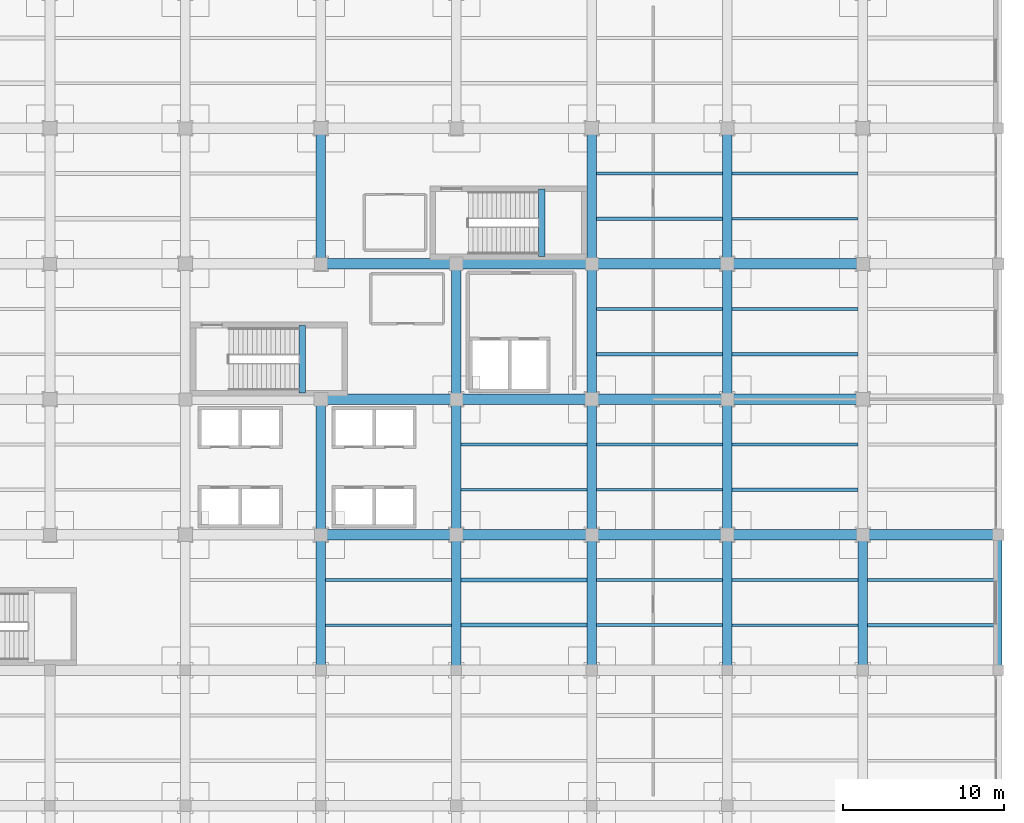
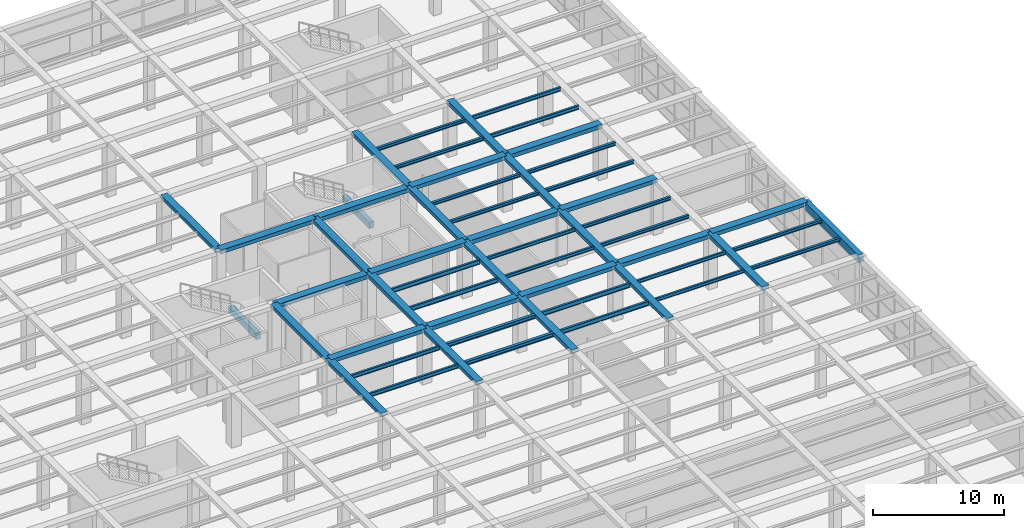
# One storey, part 55 of 96: 55 beams.
"""IFC4 building model written with IfcOpenShell, lengths in metres."""

from ifc_helpers import new_model, si_unit, direction, frame, origin, origin_2d, place, context, subcontext, project, spatial, rectangle, i_section, extrude, material, material_profile, profile_set, type_object, element, save


model = new_model("IFC4")

# Units and contexts
model_context = context("Model", 3, precision=1e-05, world=origin(), true_north=direction((0.0, 1.0)))
body_context = subcontext(model_context, "Body", "Model", "MODEL_VIEW")
ifc_project = project(units=[si_unit("LENGTHUNIT", "METRE"), si_unit("AREAUNIT", "SQUARE_METRE"), si_unit("VOLUMEUNIT", "CUBIC_METRE"), si_unit("PLANEANGLEUNIT", "RADIAN"), si_unit("MASSUNIT", "GRAM", prefix="KILO")], contexts=[model_context])

# Site, building, storey
site_placement = place(None, origin())
site = spatial("IfcSite", under=ifc_project, at=site_placement, CompositionType="ELEMENT")
building_placement = place(site_placement, origin())
building = spatial("IfcBuilding", under=site, at=building_placement, Name="Almacenes y Pasaje Nevantli", CompositionType="ELEMENT")
storey_placement = place(building_placement, frame((0.0, 0.0, 6.0)))
storey = spatial("IfcBuildingStorey", under=building, at=storey_placement, Name="L02", CompositionType="ELEMENT", Elevation=6.0)

# Beams
ifc_material_1 = material(Name="Concrete C35/45", Category="concrete")
ifc_material_profile_1 = material_profile(ifc_material_1, rectangle(XDim=0.39990234375, YDim=0.60009765625, at=origin_2d()), Name="RC-BM-400x600")
ifc_profile_set_1 = profile_set([ifc_material_profile_1], Name="Concrete C35/45")
beam_type_1 = type_object("IfcBeamType", Name="BM-RC-400x600", PredefinedType="SPANDREL", material=ifc_profile_set_1)
for number, where, z_axis, x_axis, name in (
    (1, (124.85009765625, 76.0, 2.199951171875), (0.0, 1.0, 0.0), (-1.0, 0.0, 0.0), "L02 Stair ST-01 Half-Landing Support Beam"),
    (2, (139.699951171875, 84.449951171875, 2.199951171875), (0.0, 1.0, 0.0), (-1.0, 0.0, 0.0), "L02 Stair ST-02 Half-Landing Support Beam"),
):
    element("IfcBeam", number, at=place(storey_placement, frame(where, z_axis=z_axis, x_axis=x_axis)), inside=storey, type_object=beam_type_1, Name=name, PredefinedType="SPANDREL", context=body_context, shape_type="SweptSolid", body=[
        extrude(rectangle(XDim=0.39990234375, YDim=0.60009765625, at=origin_2d()), origin(), (0.0, 0.0, 1.0), 4.18994140625),
    ])
ifc_material_2 = material(Name="Concrete C35/45", Category="concrete")
ifc_material_profile_2 = material_profile(ifc_material_2, rectangle(XDim=0.449951171875, YDim=0.699951171875, at=origin_2d()), Name="RC-BM-450x700")
ifc_profile_set_2 = profile_set([ifc_material_profile_2], Name="Concrete C35/45")
beam_type_2 = type_object("IfcBeamType", Name="BM-RC-450x700", PredefinedType="SPANDREL", material=ifc_profile_set_2)
beam_1_placement = place(storey_placement, frame((168.0, 58.800048828125, 4.75), z_axis=(0.0, 1.0, 0.0), x_axis=(-1.0, 0.0, 0.0)))
element("IfcBeam", 3, at=beam_1_placement, inside=storey, type_object=beam_type_2, Name="L02 North-South Reinforced Concrete Beam #2196", PredefinedType="SPANDREL", context=body_context, shape_type="SweptSolid", body=[
    extrude(rectangle(XDim=0.449951171875, YDim=0.699951171875, at=origin_2d()), origin(), (0.0, 0.0, 1.0), 8.39990234375),
])
ifc_material_3 = material(Name="Concrete C35/45", Category="concrete")
ifc_material_profile_3 = material_profile(ifc_material_3, rectangle(XDim=0.60009765625, YDim=0.320068359375, at=origin_2d()), Name="RC-BM-600x320")
ifc_profile_set_3 = profile_set([ifc_material_profile_3], Name="Concrete C35/45")
beam_type_3 = type_object("IfcBeamType", Name="BM-RC-600x320", PredefinedType="BEAM", material=ifc_profile_set_3)
beam_2_placement = place(storey_placement, frame((126.0, 67.199951171875, 4.93994140625), z_axis=(0.0, 1.0, 0.0), x_axis=(-1.0, 0.0, 0.0)))
element("IfcBeam", 4, at=beam_2_placement, inside=storey, type_object=beam_type_3, Name="L02 North-South Reinforced Concrete Beam #2131", PredefinedType="BEAM", context=body_context, shape_type="SweptSolid", body=[
    extrude(rectangle(XDim=0.60009765625, YDim=0.320068359375, at=origin_2d()), origin(), (0.0, 0.0, 1.0), 8.400146484375),
])
for number, where, z_axis, x_axis, name in (
    (5, (126.0, 84.0, 4.93994140625), (0.0, 1.0, 0.0), (-1.0, 0.0, 0.0), "L02 North-South Reinforced Concrete Beam #2132"),
    (6, (134.39990234375, 58.800048828125, 4.93994140625), (0.0, 1.0, 0.0), (-1.0, 0.0, 0.0), "L02 North-South Reinforced Concrete Beam #2142"),
    (7, (134.39990234375, 75.60009765625, 4.93994140625), (0.0, 1.0, 0.0), (-1.0, 0.0, 0.0), "L02 North-South Reinforced Concrete Beam #2144"),
):
    element("IfcBeam", number, at=place(storey_placement, frame(where, z_axis=z_axis, x_axis=x_axis)), inside=storey, type_object=beam_type_3, Name=name, PredefinedType="BEAM", context=body_context, shape_type="SweptSolid", body=[
        extrude(rectangle(XDim=0.60009765625, YDim=0.320068359375, at=origin_2d()), origin(), (0.0, 0.0, 1.0), 8.39990234375),
    ])
beam_3_placement = place(storey_placement, frame((142.800048828125, 67.199951171875, 4.93994140625), z_axis=(0.0, 1.0, 0.0), x_axis=(-1.0, 0.0, 0.0)))
element("IfcBeam", 8, at=beam_3_placement, inside=storey, type_object=beam_type_3, Name="L02 North-South Reinforced Concrete Beam #2156", PredefinedType="BEAM", context=body_context, shape_type="SweptSolid", body=[
    extrude(rectangle(XDim=0.60009765625, YDim=0.320068359375, at=origin_2d()), origin(), (0.0, 0.0, 1.0), 8.400146484375),
])
for number, where, z_axis, x_axis, name in (
    (9, (142.800048828125, 84.0, 4.93994140625), (0.0, 1.0, 0.0), (-1.0, 0.0, 0.0), "L02 North-South Reinforced Concrete Beam #2158"),
    (10, (151.199951171875, 58.800048828125, 4.93994140625), (0.0, 1.0, 0.0), (-1.0, 0.0, 0.0), "L02 North-South Reinforced Concrete Beam #2169"),
    (11, (151.199951171875, 75.60009765625, 4.93994140625), (0.0, 1.0, 0.0), (-1.0, 0.0, 0.0), "L02 North-South Reinforced Concrete Beam #2171"),
):
    element("IfcBeam", number, at=place(storey_placement, frame(where, z_axis=z_axis, x_axis=x_axis)), inside=storey, type_object=beam_type_3, Name=name, PredefinedType="BEAM", context=body_context, shape_type="SweptSolid", body=[
        extrude(rectangle(XDim=0.60009765625, YDim=0.320068359375, at=origin_2d()), origin(), (0.0, 0.0, 1.0), 8.39990234375),
    ])
ifc_material_4 = material(Name="Concrete C35/45", Category="concrete")
ifc_material_profile_4 = material_profile(ifc_material_4, rectangle(XDim=0.60009765625, YDim=0.340087890625, at=origin_2d()), Name="RC-BM-600x340")
ifc_profile_set_4 = profile_set([ifc_material_profile_4], Name="Concrete C35/45")
beam_type_4 = type_object("IfcBeamType", Name="BM-RC-600x340", PredefinedType="BEAM", material=ifc_profile_set_4)
beam_4_placement = place(storey_placement, frame((126.0, 58.800048828125, 4.929931640625), z_axis=(0.0, 1.0, 0.0), x_axis=(-1.0, 0.0, 0.0)))
element("IfcBeam", 12, at=beam_4_placement, inside=storey, type_object=beam_type_4, Name="L02 North-South Reinforced Concrete Beam #2130", PredefinedType="BEAM", context=body_context, shape_type="SweptSolid", body=[
    extrude(rectangle(XDim=0.60009765625, YDim=0.340087890625, at=origin_2d()), origin(), (0.0, 0.0, 1.0), 8.39990234375),
])
beam_5_placement = place(storey_placement, frame((134.39990234375, 67.199951171875, 4.929931640625), z_axis=(0.0, 1.0, 0.0), x_axis=(-1.0, 0.0, 0.0)))
element("IfcBeam", 13, at=beam_5_placement, inside=storey, type_object=beam_type_4, Name="L02 North-South Reinforced Concrete Beam #2143", PredefinedType="BEAM", context=body_context, shape_type="SweptSolid", body=[
    extrude(rectangle(XDim=0.60009765625, YDim=0.340087890625, at=origin_2d()), origin(), (0.0, 0.0, 1.0), 8.400146484375),
])
for number, where, z_axis, x_axis, name in (
    (14, (142.800048828125, 58.800048828125, 4.929931640625), (0.0, 1.0, 0.0), (-1.0, 0.0, 0.0), "L02 North-South Reinforced Concrete Beam #2155"),
    (15, (142.800048828125, 75.60009765625, 4.929931640625), (0.0, 1.0, 0.0), (-1.0, 0.0, 0.0), "L02 North-South Reinforced Concrete Beam #2157"),
):
    element("IfcBeam", number, at=place(storey_placement, frame(where, z_axis=z_axis, x_axis=x_axis)), inside=storey, type_object=beam_type_4, Name=name, PredefinedType="BEAM", context=body_context, shape_type="SweptSolid", body=[
        extrude(rectangle(XDim=0.60009765625, YDim=0.340087890625, at=origin_2d()), origin(), (0.0, 0.0, 1.0), 8.39990234375),
    ])
beam_6_placement = place(storey_placement, frame((151.199951171875, 67.199951171875, 4.929931640625), z_axis=(0.0, 1.0, 0.0), x_axis=(-1.0, 0.0, 0.0)))
element("IfcBeam", 16, at=beam_6_placement, inside=storey, type_object=beam_type_4, Name="L02 North-South Reinforced Concrete Beam #2170", PredefinedType="BEAM", context=body_context, shape_type="SweptSolid", body=[
    extrude(rectangle(XDim=0.60009765625, YDim=0.340087890625, at=origin_2d()), origin(), (0.0, 0.0, 1.0), 8.400146484375),
])
for number, where, z_axis, x_axis, name in (
    (17, (151.199951171875, 84.0, 4.929931640625), (0.0, 1.0, 0.0), (-1.0, 0.0, 0.0), "L02 North-South Reinforced Concrete Beam #2172"),
    (18, (159.60009765625, 58.800048828125, 4.929931640625), (0.0, 1.0, 0.0), (-1.0, 0.0, 0.0), "L02 North-South Reinforced Concrete Beam #2182"),
):
    element("IfcBeam", number, at=place(storey_placement, frame(where, z_axis=z_axis, x_axis=x_axis)), inside=storey, type_object=beam_type_4, Name=name, PredefinedType="BEAM", context=body_context, shape_type="SweptSolid", body=[
        extrude(rectangle(XDim=0.60009765625, YDim=0.340087890625, at=origin_2d()), origin(), (0.0, 0.0, 1.0), 8.39990234375),
    ])
ifc_material_5 = material(Name="Concrete C35/45", Category="concrete")
ifc_material_profile_5 = material_profile(ifc_material_5, rectangle(XDim=0.64990234375, YDim=0.35009765625, at=origin_2d()), Name="RC-BM-650x350")
ifc_profile_set_5 = profile_set([ifc_material_profile_5], Name="Concrete C35/45")
beam_type_5 = type_object("IfcBeamType", Name="BM-RC-650x350", PredefinedType="BEAM", material=ifc_profile_set_5)
for number, where, z_axis, x_axis, name in (
    (19, (126.0, 67.199951171875, 4.925048828125), (1.0, 0.0, 0.0), (0.0, 1.0, 0.0), "L02 East-West Reinforced Concrete Beam #1856"),
    (20, (142.800048828125, 67.199951171875, 4.925048828125), (1.0, 0.0, 0.0), (0.0, 1.0, 0.0), "L02 East-West Reinforced Concrete Beam #1858"),
    (21, (159.60009765625, 67.199951171875, 4.925048828125), (1.0, 0.0, 0.0), (0.0, 1.0, 0.0), "L02 East-West Reinforced Concrete Beam #1860"),
):
    element("IfcBeam", number, at=place(storey_placement, frame(where, z_axis=z_axis, x_axis=x_axis)), inside=storey, type_object=beam_type_5, Name=name, PredefinedType="BEAM", context=body_context, shape_type="SweptSolid", body=[
        extrude(rectangle(XDim=0.64990234375, YDim=0.35009765625, at=origin_2d()), origin(), (0.0, 0.0, 1.0), 8.39990234375),
    ])
for number, where, z_axis, x_axis, name in (
    (22, (134.39990234375, 75.60009765625, 4.925048828125), (1.0, 0.0, 0.0), (0.0, 1.0, 0.0), "L02 East-West Reinforced Concrete Beam #1874"),
    (23, (151.199951171875, 75.60009765625, 4.925048828125), (1.0, 0.0, 0.0), (0.0, 1.0, 0.0), "L02 East-West Reinforced Concrete Beam #1876"),
):
    element("IfcBeam", number, at=place(storey_placement, frame(where, z_axis=z_axis, x_axis=x_axis)), inside=storey, type_object=beam_type_5, Name=name, PredefinedType="BEAM", context=body_context, shape_type="SweptSolid", body=[
        extrude(rectangle(XDim=0.64990234375, YDim=0.35009765625, at=origin_2d()), origin(), (0.0, 0.0, 1.0), 8.400146484375),
    ])
for number, where, z_axis, x_axis, name in (
    (24, (126.0, 84.0, 4.925048828125), (1.0, 0.0, 0.0), (0.0, 1.0, 0.0), "L02 East-West Reinforced Concrete Beam #1890"),
    (25, (142.800048828125, 84.0, 4.925048828125), (1.0, 0.0, 0.0), (0.0, 1.0, 0.0), "L02 East-West Reinforced Concrete Beam #1892"),
):
    element("IfcBeam", number, at=place(storey_placement, frame(where, z_axis=z_axis, x_axis=x_axis)), inside=storey, type_object=beam_type_5, Name=name, PredefinedType="BEAM", context=body_context, shape_type="SweptSolid", body=[
        extrude(rectangle(XDim=0.64990234375, YDim=0.35009765625, at=origin_2d()), origin(), (0.0, 0.0, 1.0), 8.39990234375),
    ])
ifc_material_6 = material(Name="Concrete C35/45", Category="concrete")
ifc_material_profile_6 = material_profile(ifc_material_6, rectangle(XDim=0.64990234375, YDim=0.3798828125, at=origin_2d()), Name="RC-BM-650x380")
ifc_profile_set_6 = profile_set([ifc_material_profile_6], Name="Concrete C35/45")
beam_type_6 = type_object("IfcBeamType", Name="BM-RC-650x380", PredefinedType="BEAM", material=ifc_profile_set_6)
for number, where, z_axis, x_axis, name in (
    (26, (134.39990234375, 67.199951171875, 4.909912109375), (1.0, 0.0, 0.0), (0.0, 1.0, 0.0), "L02 East-West Reinforced Concrete Beam #1857"),
    (27, (151.199951171875, 67.199951171875, 4.909912109375), (1.0, 0.0, 0.0), (0.0, 1.0, 0.0), "L02 East-West Reinforced Concrete Beam #1859"),
):
    element("IfcBeam", number, at=place(storey_placement, frame(where, z_axis=z_axis, x_axis=x_axis)), inside=storey, type_object=beam_type_6, Name=name, PredefinedType="BEAM", context=body_context, shape_type="SweptSolid", body=[
        extrude(rectangle(XDim=0.64990234375, YDim=0.3798828125, at=origin_2d()), origin(), (0.0, 0.0, 1.0), 8.400146484375),
    ])
for number, where, z_axis, x_axis, name in (
    (28, (126.0, 75.60009765625, 4.909912109375), (1.0, 0.0, 0.0), (0.0, 1.0, 0.0), "L02 East-West Reinforced Concrete Beam #1873"),
    (29, (142.800048828125, 75.60009765625, 4.909912109375), (1.0, 0.0, 0.0), (0.0, 1.0, 0.0), "L02 East-West Reinforced Concrete Beam #1875"),
):
    element("IfcBeam", number, at=place(storey_placement, frame(where, z_axis=z_axis, x_axis=x_axis)), inside=storey, type_object=beam_type_6, Name=name, PredefinedType="BEAM", context=body_context, shape_type="SweptSolid", body=[
        extrude(rectangle(XDim=0.64990234375, YDim=0.3798828125, at=origin_2d()), origin(), (0.0, 0.0, 1.0), 8.39990234375),
    ])
for number, where, z_axis, x_axis, name in (
    (30, (134.39990234375, 84.0, 4.909912109375), (1.0, 0.0, 0.0), (0.0, 1.0, 0.0), "L02 East-West Reinforced Concrete Beam #1891"),
    (31, (151.199951171875, 84.0, 4.909912109375), (1.0, 0.0, 0.0), (0.0, 1.0, 0.0), "L02 East-West Reinforced Concrete Beam #1893"),
):
    element("IfcBeam", number, at=place(storey_placement, frame(where, z_axis=z_axis, x_axis=x_axis)), inside=storey, type_object=beam_type_6, Name=name, PredefinedType="BEAM", context=body_context, shape_type="SweptSolid", body=[
        extrude(rectangle(XDim=0.64990234375, YDim=0.3798828125, at=origin_2d()), origin(), (0.0, 0.0, 1.0), 8.400146484375),
    ])
ifc_material_7 = material(Name="Steel ASTM A992", Category="steel")
ifc_material_profile_7 = material_profile(ifc_material_7, i_section(OverallWidth=0.1650390625, OverallDepth=0.306884765625, WebThickness=0.006591796875, FlangeThickness=0.01025390625, at=origin_2d()), Name="IR 305x44.6")
ifc_profile_set_7 = profile_set([ifc_material_profile_7], Name="Steel ASTM A992")
beam_type_7 = type_object("IfcBeamType", Name="BM-STL-IR-305x44p6", PredefinedType="JOIST", material=ifc_profile_set_7)
for number, where, z_axis, x_axis, name in (
    (32, (143.10009765625, 70.0, 4.9384765625), (1.0, 0.0, 0.0), (0.0, 1.0, 0.0), "L02 Secondary Steel Floor Joist #613"),
    (33, (143.10009765625, 72.800048828125, 4.9384765625), (1.0, 0.0, 0.0), (0.0, 1.0, 0.0), "L02 Secondary Steel Floor Joist #614"),
):
    element("IfcBeam", number, at=place(storey_placement, frame(where, z_axis=z_axis, x_axis=x_axis)), inside=storey, type_object=beam_type_7, Name=name, PredefinedType="JOIST", context=body_context, shape_type="SweptSolid", body=[
        extrude(i_section(OverallWidth=0.1650390625, OverallDepth=0.306884765625, WebThickness=0.006591796875, FlangeThickness=0.01025390625, at=origin_2d()), origin(), (0.0, 0.0, 1.0), 7.7998046875),
    ])
for number, where, z_axis, x_axis, name in (
    (34, (151.5, 61.60009765625, 4.9384765625), (1.0, 0.0, 0.0), (0.0, 1.0, 0.0), "L02 Secondary Steel Floor Joist #637"),
    (35, (151.5, 64.39990234375, 4.9384765625), (1.0, 0.0, 0.0), (0.0, 1.0, 0.0), "L02 Secondary Steel Floor Joist #638"),
):
    element("IfcBeam", number, at=place(storey_placement, frame(where, z_axis=z_axis, x_axis=x_axis)), inside=storey, type_object=beam_type_7, Name=name, PredefinedType="JOIST", context=body_context, shape_type="SweptSolid", body=[
        extrude(i_section(OverallWidth=0.1650390625, OverallDepth=0.306884765625, WebThickness=0.006591796875, FlangeThickness=0.01025390625, at=origin_2d()), origin(), (0.0, 0.0, 1.0), 7.800048828125),
    ])
ifc_material_8 = material(Name="Steel ASTM A992", Category="steel")
ifc_material_profile_8 = material_profile(ifc_material_8, i_section(OverallWidth=0.202880859375, OverallDepth=0.304931640625, WebThickness=0.007568359375, FlangeThickness=0.01318359375, at=origin_2d()), Name="IR 305x59.5")
ifc_profile_set_8 = profile_set([ifc_material_profile_8], Name="Steel ASTM A992")
beam_type_8 = type_object("IfcBeamType", Name="BM-STL-IR-305x59p5", PredefinedType="JOIST", material=ifc_profile_set_8)
for number, where, z_axis, x_axis, name in (
    (36, (143.10009765625, 78.39990234375, 4.939453125), (1.0, 0.0, 0.0), (0.0, 1.0, 0.0), "L02 Secondary Steel Floor Joist #615"),
    (37, (143.10009765625, 81.199951171875, 4.939453125), (1.0, 0.0, 0.0), (0.0, 1.0, 0.0), "L02 Secondary Steel Floor Joist #616"),
):
    element("IfcBeam", number, at=place(storey_placement, frame(where, z_axis=z_axis, x_axis=x_axis)), inside=storey, type_object=beam_type_8, Name=name, PredefinedType="JOIST", context=body_context, shape_type="SweptSolid", body=[
        extrude(i_section(OverallWidth=0.202880859375, OverallDepth=0.304931640625, WebThickness=0.007568359375, FlangeThickness=0.01318359375, at=origin_2d()), origin(), (0.0, 0.0, 1.0), 7.7998046875),
    ])
for number, where, z_axis, x_axis, name in (
    (38, (151.5, 70.0, 4.939453125), (1.0, 0.0, 0.0), (0.0, 1.0, 0.0), "L02 Secondary Steel Floor Joist #639"),
    (39, (151.5, 72.800048828125, 4.939453125), (1.0, 0.0, 0.0), (0.0, 1.0, 0.0), "L02 Secondary Steel Floor Joist #640"),
):
    element("IfcBeam", number, at=place(storey_placement, frame(where, z_axis=z_axis, x_axis=x_axis)), inside=storey, type_object=beam_type_8, Name=name, PredefinedType="JOIST", context=body_context, shape_type="SweptSolid", body=[
        extrude(i_section(OverallWidth=0.202880859375, OverallDepth=0.304931640625, WebThickness=0.007568359375, FlangeThickness=0.01318359375, at=origin_2d()), origin(), (0.0, 0.0, 1.0), 7.800048828125),
    ])
for number, where, z_axis, x_axis, name in (
    (40, (159.89990234375, 61.60009765625, 4.939453125), (1.0, 0.0, 0.0), (0.0, 1.0, 0.0), "L02 Secondary Steel Floor Joist #663"),
    (41, (159.89990234375, 64.39990234375, 4.939453125), (1.0, 0.0, 0.0), (0.0, 1.0, 0.0), "L02 Secondary Steel Floor Joist #664"),
):
    element("IfcBeam", number, at=place(storey_placement, frame(where, z_axis=z_axis, x_axis=x_axis)), inside=storey, type_object=beam_type_8, Name=name, PredefinedType="JOIST", context=body_context, shape_type="SweptSolid", body=[
        extrude(i_section(OverallWidth=0.202880859375, OverallDepth=0.304931640625, WebThickness=0.007568359375, FlangeThickness=0.01318359375, at=origin_2d()), origin(), (0.0, 0.0, 1.0), 7.875),
    ])
ifc_material_9 = material(Name="Steel ASTM A992", Category="steel")
ifc_material_profile_9 = material_profile(ifc_material_9, i_section(OverallWidth=0.205078125, OverallDepth=0.31005859375, WebThickness=0.009521484375, FlangeThickness=0.016357421875, at=origin_2d()), Name="IR 305x74.4")
ifc_profile_set_9 = profile_set([ifc_material_profile_9], Name="Steel ASTM A992")
beam_type_9 = type_object("IfcBeamType", Name="BM-STL-IR-305x74p4", PredefinedType="JOIST", material=ifc_profile_set_9)
for number, where, z_axis, x_axis, name in (
    (42, (143.10009765625, 86.800048828125, 4.93701171875), (1.0, 0.0, 0.0), (0.0, 1.0, 0.0), "L02 Secondary Steel Floor Joist #617"),
    (43, (143.10009765625, 89.60009765625, 4.93701171875), (1.0, 0.0, 0.0), (0.0, 1.0, 0.0), "L02 Secondary Steel Floor Joist #618"),
):
    element("IfcBeam", number, at=place(storey_placement, frame(where, z_axis=z_axis, x_axis=x_axis)), inside=storey, type_object=beam_type_9, Name=name, PredefinedType="JOIST", context=body_context, shape_type="SweptSolid", body=[
        extrude(i_section(OverallWidth=0.205078125, OverallDepth=0.31005859375, WebThickness=0.009521484375, FlangeThickness=0.016357421875, at=origin_2d()), origin(), (0.0, 0.0, 1.0), 7.7998046875),
    ])
for number, where, z_axis, x_axis, name in (
    (44, (151.5, 78.39990234375, 4.93701171875), (1.0, 0.0, 0.0), (0.0, 1.0, 0.0), "L02 Secondary Steel Floor Joist #641"),
    (45, (151.5, 81.199951171875, 4.93701171875), (1.0, 0.0, 0.0), (0.0, 1.0, 0.0), "L02 Secondary Steel Floor Joist #642"),
):
    element("IfcBeam", number, at=place(storey_placement, frame(where, z_axis=z_axis, x_axis=x_axis)), inside=storey, type_object=beam_type_9, Name=name, PredefinedType="JOIST", context=body_context, shape_type="SweptSolid", body=[
        extrude(i_section(OverallWidth=0.205078125, OverallDepth=0.31005859375, WebThickness=0.009521484375, FlangeThickness=0.016357421875, at=origin_2d()), origin(), (0.0, 0.0, 1.0), 7.800048828125),
    ])
ifc_material_10 = material(Name="Steel ASTM A992", Category="steel")
ifc_material_profile_10 = material_profile(ifc_material_10, i_section(OverallWidth=0.173095703125, OverallDepth=0.35302734375, WebThickness=0.0078125, FlangeThickness=0.01318359375, at=origin_2d()), Name="IR 356x56.6")
ifc_profile_set_10 = profile_set([ifc_material_profile_10], Name="Steel ASTM A992")
beam_type_10 = type_object("IfcBeamType", Name="BM-STL-IR-356x56p6", PredefinedType="JOIST", material=ifc_profile_set_10)
for number, where, z_axis, x_axis, name in (
    (46, (151.5, 86.800048828125, 4.91552734375), (1.0, 0.0, 0.0), (0.0, 1.0, 0.0), "L02 Secondary Steel Floor Joist #643"),
    (47, (151.5, 89.60009765625, 4.91552734375), (1.0, 0.0, 0.0), (0.0, 1.0, 0.0), "L02 Secondary Steel Floor Joist #644"),
):
    element("IfcBeam", number, at=place(storey_placement, frame(where, z_axis=z_axis, x_axis=x_axis)), inside=storey, type_object=beam_type_10, Name=name, PredefinedType="JOIST", context=body_context, shape_type="SweptSolid", body=[
        extrude(i_section(OverallWidth=0.173095703125, OverallDepth=0.35302734375, WebThickness=0.0078125, FlangeThickness=0.01318359375, at=origin_2d()), origin(), (0.0, 0.0, 1.0), 7.800048828125),
    ])
ifc_material_11 = material(Name="Steel ASTM A992", Category="steel")
ifc_material_profile_11 = material_profile(ifc_material_11, i_section(OverallWidth=0.173095703125, OverallDepth=0.364013671875, WebThickness=0.009033203125, FlangeThickness=0.015625, at=origin_2d()), Name="IR 356x67.0")
ifc_profile_set_11 = profile_set([ifc_material_profile_11], Name="Steel ASTM A992")
beam_type_11 = type_object("IfcBeamType", Name="BM-STL-IR-356x67p0", PredefinedType="JOIST", material=ifc_profile_set_11)
for number, where, z_axis, x_axis, name in (
    (48, (126.300048828125, 61.60009765625, 4.909912109375), (1.0, 0.0, 0.0), (0.0, 1.0, 0.0), "L02 Secondary Steel Floor Joist #569"),
    (49, (126.300048828125, 64.39990234375, 4.909912109375), (1.0, 0.0, 0.0), (0.0, 1.0, 0.0), "L02 Secondary Steel Floor Joist #570"),
):
    element("IfcBeam", number, at=place(storey_placement, frame(where, z_axis=z_axis, x_axis=x_axis)), inside=storey, type_object=beam_type_11, Name=name, PredefinedType="JOIST", context=body_context, shape_type="SweptSolid", body=[
        extrude(i_section(OverallWidth=0.173095703125, OverallDepth=0.364013671875, WebThickness=0.009033203125, FlangeThickness=0.015625, at=origin_2d()), origin(), (0.0, 0.0, 1.0), 7.800048828125),
    ])
ifc_material_12 = material(Name="Steel ASTM A992", Category="steel")
ifc_material_profile_12 = material_profile(ifc_material_12, i_section(OverallWidth=0.25390625, OverallDepth=0.35595703125, WebThickness=0.009521484375, FlangeThickness=0.016357421875, at=origin_2d()), Name="IR 356x79.0")
ifc_profile_set_12 = profile_set([ifc_material_profile_12], Name="Steel ASTM A992")
beam_type_12 = type_object("IfcBeamType", Name="BM-STL-IR-356x79p0", PredefinedType="JOIST", material=ifc_profile_set_12)
for number, where, z_axis, x_axis, name in (
    (50, (134.699951171875, 61.60009765625, 4.9140625), (1.0, 0.0, 0.0), (0.0, 1.0, 0.0), "L02 Secondary Steel Floor Joist #589"),
    (51, (134.699951171875, 64.39990234375, 4.9140625), (1.0, 0.0, 0.0), (0.0, 1.0, 0.0), "L02 Secondary Steel Floor Joist #590"),
):
    element("IfcBeam", number, at=place(storey_placement, frame(where, z_axis=z_axis, x_axis=x_axis)), inside=storey, type_object=beam_type_12, Name=name, PredefinedType="JOIST", context=body_context, shape_type="SweptSolid", body=[
        extrude(i_section(OverallWidth=0.25390625, OverallDepth=0.35595703125, WebThickness=0.009521484375, FlangeThickness=0.016357421875, at=origin_2d()), origin(), (0.0, 0.0, 1.0), 7.800048828125),
    ])
ifc_material_13 = material(Name="Steel ASTM A992", Category="steel")
ifc_material_profile_13 = material_profile(ifc_material_13, i_section(OverallWidth=0.178955078125, OverallDepth=0.406005859375, WebThickness=0.0087890625, FlangeThickness=0.014404296875, at=origin_2d()), Name="IR 406x67.0")
ifc_profile_set_13 = profile_set([ifc_material_profile_13], Name="Steel ASTM A992")
beam_type_13 = type_object("IfcBeamType", Name="BM-STL-IR-406x67p0", PredefinedType="JOIST", material=ifc_profile_set_13)
for number, where, z_axis, x_axis, name in (
    (52, (134.699951171875, 70.0, 4.888916015625), (1.0, 0.0, 0.0), (0.0, 1.0, 0.0), "L02 Secondary Steel Floor Joist #591"),
    (53, (134.699951171875, 72.800048828125, 4.888916015625), (1.0, 0.0, 0.0), (0.0, 1.0, 0.0), "L02 Secondary Steel Floor Joist #592"),
):
    element("IfcBeam", number, at=place(storey_placement, frame(where, z_axis=z_axis, x_axis=x_axis)), inside=storey, type_object=beam_type_13, Name=name, PredefinedType="JOIST", context=body_context, shape_type="SweptSolid", body=[
        extrude(i_section(OverallWidth=0.178955078125, OverallDepth=0.406005859375, WebThickness=0.0087890625, FlangeThickness=0.014404296875, at=origin_2d()), origin(), (0.0, 0.0, 1.0), 7.800048828125),
    ])
for number, where, z_axis, x_axis, name in (
    (54, (143.10009765625, 61.60009765625, 4.888916015625), (1.0, 0.0, 0.0), (0.0, 1.0, 0.0), "L02 Secondary Steel Floor Joist #611"),
    (55, (143.10009765625, 64.39990234375, 4.888916015625), (1.0, 0.0, 0.0), (0.0, 1.0, 0.0), "L02 Secondary Steel Floor Joist #612"),
):
    element("IfcBeam", number, at=place(storey_placement, frame(where, z_axis=z_axis, x_axis=x_axis)), inside=storey, type_object=beam_type_13, Name=name, PredefinedType="JOIST", context=body_context, shape_type="SweptSolid", body=[
        extrude(i_section(OverallWidth=0.178955078125, OverallDepth=0.406005859375, WebThickness=0.0087890625, FlangeThickness=0.014404296875, at=origin_2d()), origin(), (0.0, 0.0, 1.0), 7.7998046875),
    ])

save(model, "model.ifc")
